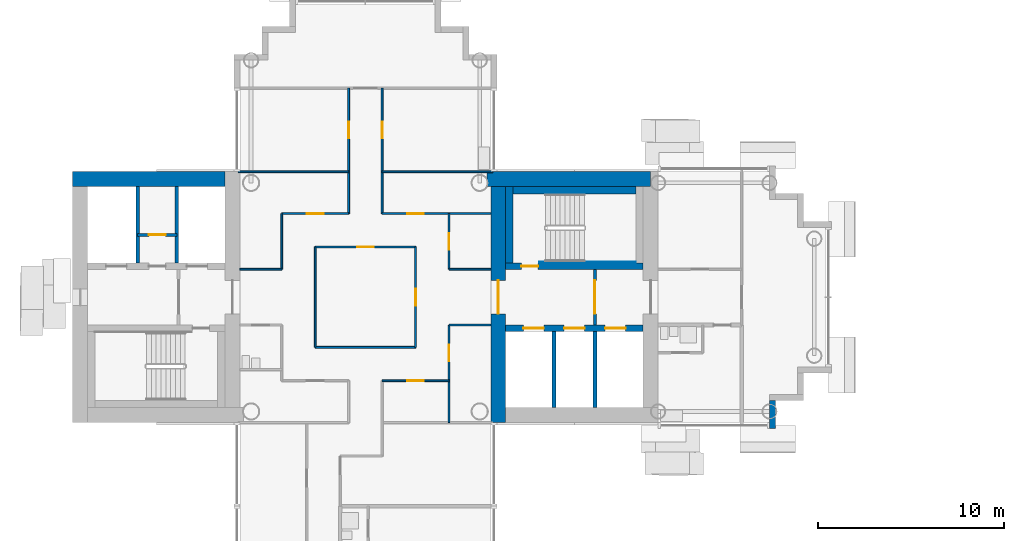
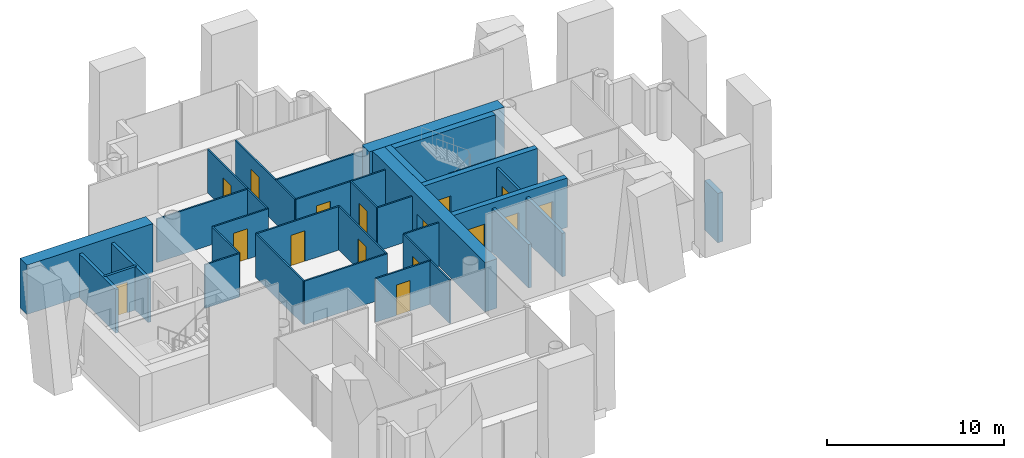
# One storey, part 7 of 18: 32 walls, 16 doors, 16 openings.
"""IFC4 building model written with IfcOpenShell, lengths in metres."""

from ifc_helpers import new_model, si_unit, direction, frame, frame_2d, origin, place, context, subcontext, project, spatial, rectangle, extrude, material, layer, layer_set, type_object, element, fill, save


model = new_model("IFC4")

# Units and contexts
model_context = context("Model", 3, precision=1e-05, world=origin(), true_north=direction((0.0, 1.0)))
body_context = subcontext(model_context, "Body", "Model", "MODEL_VIEW")
ifc_project = project(units=[si_unit("LENGTHUNIT", "METRE"), si_unit("AREAUNIT", "SQUARE_METRE"), si_unit("VOLUMEUNIT", "CUBIC_METRE"), si_unit("PLANEANGLEUNIT", "RADIAN"), si_unit("MASSUNIT", "GRAM", prefix="KILO")], contexts=[model_context])

# Site, building, storey
site_placement = place(None, origin())
site = spatial("IfcSite", under=ifc_project, at=site_placement, CompositionType="ELEMENT")
building_placement = place(site_placement, origin())
building = spatial("IfcBuilding", under=site, at=building_placement, Name="Ipe Terrace Towers", CompositionType="ELEMENT")
storey_placement = place(building_placement, frame((0.0, 0.0, 150.699951171875)))
storey = spatial("IfcBuildingStorey", under=building, at=storey_placement, Name="L41", CompositionType="ELEMENT", Elevation=150.699951171875)

# Walls
ifc_material_1 = material(Name="Concrete C40/50 with buff precast cladding", Category="concrete")
ifc_layer_1 = layer(ifc_material_1, 0.320068359375)
ifc_layer_set_1 = layer_set([ifc_layer_1], Name="BUFF CLADDING WALL 320")
wall_type_1 = type_object("IfcWallType", Name="BUFF CLADDING WALL 320", PredefinedType="STANDARD", material=ifc_layer_set_1)
wall_1_placement = place(storey_placement, frame((-14.090087890625, -7.070068359375, -0.300048828125), z_axis=(0.0, 0.0, 1.0), x_axis=(0.0, 1.0, 0.0)))
element("IfcWall", 1, at=wall_1_placement, inside=storey, type_object=wall_type_1, Name="T1-W-L41-17a wall", PredefinedType="STANDARD", context=body_context, shape_type="SweptSolid", body=[
    extrude(rectangle(XDim=1.5, YDim=0.320068359375, at=frame_2d((0.75, 0.0))), origin(), (0.0, 0.0, 1.0), 3.400146484375),
])
ifc_material_2 = material(Name="Gypsum board partition", Category="plasterboard")
ifc_layer_2 = layer(ifc_material_2, 0.10009765625)
ifc_layer_set_2 = layer_set([ifc_layer_2], Name="Gypsum board partition 100 mm")
wall_type_2 = type_object("IfcWallType", Name="Gypsum board partition 100 mm", PredefinedType="PARTITIONING", material=ifc_layer_set_2)
wall_2_placement = place(storey_placement, frame((-40.5, 1.5, 0.0), z_axis=(0.0, 0.0, 1.0), x_axis=(0.0, 1.0, 0.0)))
element("IfcWall", 2, at=wall_2_placement, inside=storey, type_object=wall_type_2, Name="Gypsum board partition T1 L41 W02", PredefinedType="PARTITIONING", context=body_context, shape_type="SweptSolid", body=[
    extrude(rectangle(XDim=3.0, YDim=0.10009765625, at=frame_2d((1.5, 0.0))), origin(), (0.0, 0.0, 1.0), 3.0),
])
wall_3_placement = place(storey_placement, frame((-38.699951171875, -2.699951171875, 0.0), z_axis=(0.0, 0.0, 1.0), x_axis=(0.0, 1.0, 0.0)))
element("IfcWall", 3, at=wall_3_placement, inside=storey, type_object=wall_type_2, Name="Gypsum board partition T1 L41 W04", PredefinedType="PARTITIONING", context=body_context, shape_type="SweptSolid", body=[
    extrude(rectangle(XDim=5.39990234375, YDim=0.10009765625, at=frame_2d((2.699951171875, 0.0))), origin(), (0.0, 0.0, 1.0), 3.0),
])

# Wall, opening, door
wall_4_placement = place(storey_placement, frame((-36.89990234375, 4.5, 0.0), z_axis=(0.0, 0.0, 1.0), x_axis=(0.0, 1.0, 0.0)))
wall_4 = element("IfcWall", 4, at=wall_4_placement, inside=storey, type_object=wall_type_2, Name="Gypsum board partition T1 L41 W08", PredefinedType="PARTITIONING", context=body_context, shape_type="SweptSolid", body=[
    extrude(rectangle(XDim=6.75, YDim=0.10009765625, at=frame_2d((3.375, 0.0))), origin(), (0.0, 0.0, 1.0), 3.0),
])
opening_1_placement = place(wall_4_placement, frame((4.050048828125, 0.0, 0.0)))
opening_1 = element("IfcOpeningElement", 5, at=opening_1_placement, cuts=wall_4, Name="Opening T1-Z3B-10", PredefinedType="OPENING", context=body_context, shape_type="SweptSolid", body=[
    extrude(rectangle(XDim=0.89990234375, YDim=2.10009765625, at=frame_2d((0.449951171875, 1.050048828125))), frame((0.0, 0.06005859375, 0.0), z_axis=(0.0, -1.0, 0.0), x_axis=(1.0, 0.0, 0.0)), (0.0, 0.0, 1.0), 0.1201171875),
])
ifc_material_3 = material(Name="Timber door leaf", Category="wood")
door_type_1 = type_object("IfcDoorType", Name="Lounge door 900 x 2100", OperationType="NOTDEFINED", PredefinedType="DOOR", material=ifc_material_3)
door_1_placement = place(opening_1_placement, origin())
door_1 = element("IfcDoor", 6, at=door_1_placement, inside=storey, type_object=door_type_1, Name="Lounge door T1-Z3B-10", OperationType="SINGLE_SWING_LEFT", OverallHeight=2.10009765625, OverallWidth=0.89990234375, PredefinedType="DOOR", context=body_context, shape_type="SweptSolid", body=[
    extrude(rectangle(XDim=0.89990234375, YDim=2.10009765625, at=frame_2d((0.449951171875, 1.050048828125))), frame((0.0, 0.02490234375, 0.0), z_axis=(0.0, -1.0, 0.0), x_axis=(1.0, 0.0, 0.0)), (0.0, 0.0, 1.0), 0.050048828125),
])
fill(opening_1, door_1)

wall_5_placement = place(storey_placement, frame((-35.10009765625, 4.5, 0.0), z_axis=(0.0, 0.0, 1.0), x_axis=(0.0, 1.0, 0.0)))
wall_5 = element("IfcWall", 7, at=wall_5_placement, inside=storey, type_object=wall_type_2, Name="Gypsum board partition T1 L41 W11", PredefinedType="PARTITIONING", context=body_context, shape_type="SweptSolid", body=[
    extrude(rectangle(XDim=6.75, YDim=0.10009765625, at=frame_2d((3.375, 0.0))), origin(), (0.0, 0.0, 1.0), 3.0),
])
opening_2_placement = place(wall_5_placement, frame((4.050048828125, 0.0, 0.0)))
opening_2 = element("IfcOpeningElement", 8, at=opening_2_placement, cuts=wall_5, Name="Opening T1-Z3B-11", PredefinedType="OPENING", context=body_context, shape_type="SweptSolid", body=[
    extrude(rectangle(XDim=0.89990234375, YDim=2.10009765625, at=frame_2d((0.449951171875, 1.050048828125))), frame((0.0, 0.06005859375, 0.0), z_axis=(0.0, -1.0, 0.0), x_axis=(1.0, 0.0, 0.0)), (0.0, 0.0, 1.0), 0.1201171875),
])
door_2_placement = place(opening_2_placement, origin())
door_2 = element("IfcDoor", 9, at=door_2_placement, inside=storey, type_object=door_type_1, Name="Lounge door T1-Z3B-11", OperationType="SINGLE_SWING_RIGHT", OverallHeight=2.10009765625, OverallWidth=0.89990234375, PredefinedType="DOOR", context=body_context, shape_type="SweptSolid", body=[
    extrude(rectangle(XDim=0.89990234375, YDim=2.10009765625, at=frame_2d((0.449951171875, 1.050048828125))), frame((0.0, 0.02490234375, 0.0), z_axis=(0.0, -1.0, 0.0), x_axis=(1.0, 0.0, 0.0)), (0.0, 0.0, 1.0), 0.050048828125),
])
fill(opening_2, door_2)

wall_6_placement = place(storey_placement, frame((-33.300048828125, -2.699951171875, 0.0), z_axis=(0.0, 0.0, 1.0), x_axis=(0.0, 1.0, 0.0)))
wall_6 = element("IfcWall", 10, at=wall_6_placement, inside=storey, type_object=wall_type_2, Name="Gypsum board partition T1 L41 W12", PredefinedType="PARTITIONING", context=body_context, shape_type="SweptSolid", body=[
    extrude(rectangle(XDim=5.39990234375, YDim=0.10009765625, at=frame_2d((2.699951171875, 0.0))), origin(), (0.0, 0.0, 1.0), 3.0),
])
opening_3_placement = place(wall_6_placement, frame((2.25, 0.0, 0.0)))
opening_3 = element("IfcOpeningElement", 11, at=opening_3_placement, cuts=wall_6, Name="Opening T1-Z3B-02", PredefinedType="OPENING", context=body_context, shape_type="SweptSolid", body=[
    extrude(rectangle(XDim=0.89990234375, YDim=2.10009765625, at=frame_2d((0.449951171875, 1.050048828125))), frame((0.0, 0.06005859375, 0.0), z_axis=(0.0, -1.0, 0.0), x_axis=(1.0, 0.0, 0.0)), (0.0, 0.0, 1.0), 0.1201171875),
])
door_3_placement = place(opening_3_placement, origin())
door_3 = element("IfcDoor", 12, at=door_3_placement, inside=storey, type_object=door_type_1, Name="Lounge door T1-Z3B-02", OperationType="SINGLE_SWING_LEFT", OverallHeight=2.10009765625, OverallWidth=0.89990234375, PredefinedType="DOOR", context=body_context, shape_type="SweptSolid", body=[
    extrude(rectangle(XDim=0.89990234375, YDim=2.10009765625, at=frame_2d((0.449951171875, 1.050048828125))), frame((0.0, 0.02490234375, 0.0), z_axis=(0.0, -1.0, 0.0), x_axis=(1.0, 0.0, 0.0)), (0.0, 0.0, 1.0), 0.050048828125),
])
fill(opening_3, door_3)

wall_7_placement = place(storey_placement, frame((-31.5, -6.75, 0.0), z_axis=(0.0, 0.0, 1.0), x_axis=(0.0, 1.0, 0.0)))
wall_7 = element("IfcWall", 13, at=wall_7_placement, inside=storey, type_object=wall_type_2, Name="Gypsum board partition T1 L41 W13", PredefinedType="PARTITIONING", context=body_context, shape_type="SweptSolid", body=[
    extrude(rectangle(XDim=5.25, YDim=0.10009765625, at=frame_2d((2.625, 0.0))), origin(), (0.0, 0.0, 1.0), 3.0),
])
opening_4_placement = place(wall_7_placement, frame((3.300048828125, 0.0, 0.0)))
opening_4 = element("IfcOpeningElement", 14, at=opening_4_placement, cuts=wall_7, Name="Opening T1-Z3B-09", PredefinedType="OPENING", context=body_context, shape_type="SweptSolid", body=[
    extrude(rectangle(XDim=0.89990234375, YDim=2.10009765625, at=frame_2d((0.449951171875, 1.050048828125))), frame((0.0, 0.06005859375, 0.0), z_axis=(0.0, -1.0, 0.0), x_axis=(1.0, 0.0, 0.0)), (0.0, 0.0, 1.0), 0.1201171875),
])
door_4_placement = place(opening_4_placement, origin())
door_4 = element("IfcDoor", 15, at=door_4_placement, inside=storey, type_object=door_type_1, Name="Lounge door T1-Z3B-09", OperationType="SINGLE_SWING_RIGHT", OverallHeight=2.10009765625, OverallWidth=0.89990234375, PredefinedType="DOOR", context=body_context, shape_type="SweptSolid", body=[
    extrude(rectangle(XDim=0.89990234375, YDim=2.10009765625, at=frame_2d((0.449951171875, 1.050048828125))), frame((0.0, 0.02490234375, 0.0), z_axis=(0.0, -1.0, 0.0), x_axis=(1.0, 0.0, 0.0)), (0.0, 0.0, 1.0), 0.050048828125),
])
fill(opening_4, door_4)

wall_8_placement = place(storey_placement, frame((-31.5, 1.5, 0.0), z_axis=(0.0, 0.0, 1.0), x_axis=(0.0, 1.0, 0.0)))
wall_8 = element("IfcWall", 16, at=wall_8_placement, inside=storey, type_object=wall_type_2, Name="Gypsum board partition T1 L41 W14", PredefinedType="PARTITIONING", context=body_context, shape_type="SweptSolid", body=[
    extrude(rectangle(XDim=3.0, YDim=0.10009765625, at=frame_2d((1.5, 0.0))), origin(), (0.0, 0.0, 1.0), 3.0),
])
opening_5_placement = place(wall_8_placement, frame((1.050048828125, 0.0, 0.0)))
opening_5 = element("IfcOpeningElement", 17, at=opening_5_placement, cuts=wall_8, Name="Opening T1-Z3B-05", PredefinedType="OPENING", context=body_context, shape_type="SweptSolid", body=[
    extrude(rectangle(XDim=0.89990234375, YDim=2.10009765625, at=frame_2d((0.449951171875, 1.050048828125))), frame((0.0, 0.06005859375, 0.0), z_axis=(0.0, -1.0, 0.0), x_axis=(1.0, 0.0, 0.0)), (0.0, 0.0, 1.0), 0.1201171875),
])
door_5_placement = place(opening_5_placement, origin())
door_5 = element("IfcDoor", 18, at=door_5_placement, inside=storey, type_object=door_type_1, Name="Lounge door T1-Z3B-05", OperationType="SINGLE_SWING_RIGHT", OverallHeight=2.10009765625, OverallWidth=0.89990234375, PredefinedType="DOOR", context=body_context, shape_type="SweptSolid", body=[
    extrude(rectangle(XDim=0.89990234375, YDim=2.10009765625, at=frame_2d((0.449951171875, 1.050048828125))), frame((0.0, 0.02490234375, 0.0), z_axis=(0.0, -1.0, 0.0), x_axis=(1.0, 0.0, 0.0)), (0.0, 0.0, 1.0), 0.050048828125),
])
fill(opening_5, door_5)

wall_9_placement = place(storey_placement, frame((-35.10009765625, -4.5, 0.0), z_axis=(0.0, 0.0, 1.0), x_axis=(1.0, 0.0, 0.0)))
wall_9 = element("IfcWall", 19, at=wall_9_placement, inside=storey, type_object=wall_type_2, Name="Gypsum board partition T1 L41 W26", PredefinedType="PARTITIONING", context=body_context, shape_type="SweptSolid", body=[
    extrude(rectangle(XDim=3.60009765625, YDim=0.10009765625, at=frame_2d((1.800048828125, 0.0))), origin(), (0.0, 0.0, 1.0), 3.0),
])
opening_6_placement = place(wall_9_placement, frame((1.35009765625, 0.0, 0.0)))
opening_6 = element("IfcOpeningElement", 20, at=opening_6_placement, cuts=wall_9, Name="Opening T1-Z3B-08", PredefinedType="OPENING", context=body_context, shape_type="SweptSolid", body=[
    extrude(rectangle(XDim=0.89990234375, YDim=2.10009765625, at=frame_2d((0.449951171875, 1.050048828125))), frame((0.0, 0.06005859375, 0.0), z_axis=(0.0, -1.0, 0.0), x_axis=(1.0, 0.0, 0.0)), (0.0, 0.0, 1.0), 0.1201171875),
])
door_6_placement = place(opening_6_placement, origin())
door_6 = element("IfcDoor", 21, at=door_6_placement, inside=storey, type_object=door_type_1, Name="Lounge door T1-Z3B-08", OperationType="SINGLE_SWING_RIGHT", OverallHeight=2.10009765625, OverallWidth=0.89990234375, PredefinedType="DOOR", context=body_context, shape_type="SweptSolid", body=[
    extrude(rectangle(XDim=0.89990234375, YDim=2.10009765625, at=frame_2d((0.449951171875, 1.050048828125))), frame((0.0, 0.02490234375, 0.0), z_axis=(0.0, -1.0, 0.0), x_axis=(1.0, 0.0, 0.0)), (0.0, 0.0, 1.0), 0.050048828125),
])
fill(opening_6, door_6)

# Walls
wall_10_placement = place(storey_placement, frame((-38.699951171875, -2.699951171875, 0.0), z_axis=(0.0, 0.0, 1.0), x_axis=(1.0, 0.0, 0.0)))
element("IfcWall", 22, at=wall_10_placement, inside=storey, type_object=wall_type_2, Name="Gypsum board partition T1 L41 W29", PredefinedType="PARTITIONING", context=body_context, shape_type="SweptSolid", body=[
    extrude(rectangle(XDim=5.39990234375, YDim=0.10009765625, at=frame_2d((2.699951171875, 0.0))), origin(), (0.0, 0.0, 1.0), 3.0),
])
for number, where, z_axis, x_axis, name in (
    (23, (-31.5, -1.5, 0.0), (0.0, 0.0, 1.0), (1.0, 0.0, 0.0), "Gypsum board partition T1 L41 W31"),
    (24, (-42.75, 1.5, 0.0), (0.0, 0.0, 1.0), (1.0, 0.0, 0.0), "Gypsum board partition T1 L41 W33"),
    (25, (-31.5, 1.5, 0.0), (0.0, 0.0, 1.0), (1.0, 0.0, 0.0), "Gypsum board partition T1 L41 W34"),
):
    element("IfcWall", number, at=place(storey_placement, frame(where, z_axis=z_axis, x_axis=x_axis)), inside=storey, type_object=wall_type_2, Name=name, PredefinedType="PARTITIONING", context=body_context, shape_type="SweptSolid", body=[
        extrude(rectangle(XDim=2.25, YDim=0.10009765625, at=frame_2d((1.125, 0.0))), origin(), (0.0, 0.0, 1.0), 3.0),
    ])

# Wall, opening, door
wall_11_placement = place(storey_placement, frame((-38.699951171875, 2.699951171875, 0.0), z_axis=(0.0, 0.0, 1.0), x_axis=(1.0, 0.0, 0.0)))
wall_11 = element("IfcWall", 26, at=wall_11_placement, inside=storey, type_object=wall_type_2, Name="Gypsum board partition T1 L41 W36", PredefinedType="PARTITIONING", context=body_context, shape_type="SweptSolid", body=[
    extrude(rectangle(XDim=5.39990234375, YDim=0.10009765625, at=frame_2d((2.699951171875, 0.0))), origin(), (0.0, 0.0, 1.0), 3.0),
])
opening_7_placement = place(wall_11_placement, frame((2.25, 0.0, 0.0)))
opening_7 = element("IfcOpeningElement", 27, at=opening_7_placement, cuts=wall_11, Name="Opening T1-Z3B-01", PredefinedType="OPENING", context=body_context, shape_type="SweptSolid", body=[
    extrude(rectangle(XDim=0.89990234375, YDim=2.10009765625, at=frame_2d((0.449951171875, 1.050048828125))), frame((0.0, 0.06005859375, 0.0), z_axis=(0.0, -1.0, 0.0), x_axis=(1.0, 0.0, 0.0)), (0.0, 0.0, 1.0), 0.1201171875),
])
door_7_placement = place(opening_7_placement, origin())
door_7 = element("IfcDoor", 28, at=door_7_placement, inside=storey, type_object=door_type_1, Name="Lounge door T1-Z3B-01", OperationType="SINGLE_SWING_RIGHT", OverallHeight=2.10009765625, OverallWidth=0.89990234375, PredefinedType="DOOR", context=body_context, shape_type="SweptSolid", body=[
    extrude(rectangle(XDim=0.89990234375, YDim=2.10009765625, at=frame_2d((0.449951171875, 1.050048828125))), frame((0.0, 0.02490234375, 0.0), z_axis=(0.0, -1.0, 0.0), x_axis=(1.0, 0.0, 0.0)), (0.0, 0.0, 1.0), 0.050048828125),
])
fill(opening_7, door_7)

wall_12_placement = place(storey_placement, frame((-40.5, 4.5, 0.0), z_axis=(0.0, 0.0, 1.0), x_axis=(1.0, 0.0, 0.0)))
wall_12 = element("IfcWall", 29, at=wall_12_placement, inside=storey, type_object=wall_type_2, Name="Gypsum board partition T1 L41 W37", PredefinedType="PARTITIONING", context=body_context, shape_type="SweptSolid", body=[
    extrude(rectangle(XDim=3.60009765625, YDim=0.10009765625, at=frame_2d((1.800048828125, 0.0))), origin(), (0.0, 0.0, 1.0), 3.0),
])
opening_8_placement = place(wall_12_placement, frame((1.35009765625, 0.0, 0.0)))
opening_8 = element("IfcOpeningElement", 30, at=opening_8_placement, cuts=wall_12, Name="Opening T1-Z3B-06", PredefinedType="OPENING", context=body_context, shape_type="SweptSolid", body=[
    extrude(rectangle(XDim=0.89990234375, YDim=2.10009765625, at=frame_2d((0.449951171875, 1.050048828125))), frame((0.0, 0.06005859375, 0.0), z_axis=(0.0, -1.0, 0.0), x_axis=(1.0, 0.0, 0.0)), (0.0, 0.0, 1.0), 0.1201171875),
])
door_8_placement = place(opening_8_placement, origin())
door_8 = element("IfcDoor", 31, at=door_8_placement, inside=storey, type_object=door_type_1, Name="Lounge door T1-Z3B-06", OperationType="SINGLE_SWING_LEFT", OverallHeight=2.10009765625, OverallWidth=0.89990234375, PredefinedType="DOOR", context=body_context, shape_type="SweptSolid", body=[
    extrude(rectangle(XDim=0.89990234375, YDim=2.10009765625, at=frame_2d((0.449951171875, 1.050048828125))), frame((0.0, 0.02490234375, 0.0), z_axis=(0.0, -1.0, 0.0), x_axis=(1.0, 0.0, 0.0)), (0.0, 0.0, 1.0), 0.050048828125),
])
fill(opening_8, door_8)

wall_13_placement = place(storey_placement, frame((-35.10009765625, 4.5, 0.0), z_axis=(0.0, 0.0, 1.0), x_axis=(1.0, 0.0, 0.0)))
wall_13 = element("IfcWall", 32, at=wall_13_placement, inside=storey, type_object=wall_type_2, Name="Gypsum board partition T1 L41 W38", PredefinedType="PARTITIONING", context=body_context, shape_type="SweptSolid", body=[
    extrude(rectangle(XDim=5.85009765625, YDim=0.10009765625, at=frame_2d((2.925048828125, 0.0))), origin(), (0.0, 0.0, 1.0), 3.0),
])
opening_9_placement = place(wall_13_placement, frame((1.35009765625, 0.0, 0.0)))
opening_9 = element("IfcOpeningElement", 33, at=opening_9_placement, cuts=wall_13, Name="Opening T1-Z3B-04", PredefinedType="OPENING", context=body_context, shape_type="SweptSolid", body=[
    extrude(rectangle(XDim=0.89990234375, YDim=2.10009765625, at=frame_2d((0.449951171875, 1.050048828125))), frame((0.0, 0.06005859375, 0.0), z_axis=(0.0, -1.0, 0.0), x_axis=(1.0, 0.0, 0.0)), (0.0, 0.0, 1.0), 0.1201171875),
])
door_9_placement = place(opening_9_placement, origin())
door_9 = element("IfcDoor", 34, at=door_9_placement, inside=storey, type_object=door_type_1, Name="Lounge door T1-Z3B-04", OperationType="SINGLE_SWING_RIGHT", OverallHeight=2.10009765625, OverallWidth=0.89990234375, PredefinedType="DOOR", context=body_context, shape_type="SweptSolid", body=[
    extrude(rectangle(XDim=0.89990234375, YDim=2.10009765625, at=frame_2d((0.449951171875, 1.050048828125))), frame((0.0, 0.02490234375, 0.0), z_axis=(0.0, -1.0, 0.0), x_axis=(1.0, 0.0, 0.0)), (0.0, 0.0, 1.0), 0.050048828125),
])
fill(opening_9, door_9)

# Walls
for number, where, z_axis, x_axis, name in (
    (35, (-42.85009765625, 6.75, 0.0), (0.0, 0.0, 1.0), (1.0, 0.0, 0.0), "Gypsum board partition T1 L41 W39"),
    (36, (-35.10009765625, 6.75, 0.0), (0.0, 0.0, 1.0), (1.0, 0.0, 0.0), "Gypsum board partition T1 L41 W40"),
):
    element("IfcWall", number, at=place(storey_placement, frame(where, z_axis=z_axis, x_axis=x_axis)), inside=storey, type_object=wall_type_2, Name=name, PredefinedType="PARTITIONING", context=body_context, shape_type="SweptSolid", body=[
        extrude(rectangle(XDim=5.9501953125, YDim=0.10009765625, at=frame_2d((2.97509765625, 0.0))), origin(), (0.0, 0.0, 1.0), 3.0),
    ])

# Wall, opening, door
ifc_material_4 = material(Name="Gypsum board partition", Category="plasterboard")
ifc_layer_3 = layer(ifc_material_4, 0.14990234375)
ifc_layer_set_3 = layer_set([ifc_layer_3], Name="Gypsum board partition 150 mm")
wall_type_3 = type_object("IfcWallType", Name="Gypsum board partition 150 mm", PredefinedType="PARTITIONING", material=ifc_layer_set_3)
wall_14_placement = place(storey_placement, frame((-23.64990234375, -1.5, 0.0), z_axis=(0.0, 0.0, 1.0), x_axis=(0.0, 1.0, 0.0)))
wall_14 = element("IfcWall", 37, at=wall_14_placement, inside=storey, type_object=wall_type_3, Name="Gypsum board partition T1 L41 t1c1-lobby-wall", PredefinedType="PARTITIONING", context=body_context, shape_type="SweptSolid", body=[
    extrude(rectangle(XDim=3.0, YDim=0.14990234375, at=frame_2d((1.5, 0.0))), origin(), (0.0, 0.0, 1.0), 3.0),
])
opening_10_placement = place(wall_14_placement, frame((0.60009765625, 0.0, 0.0)))
opening_10 = element("IfcOpeningElement", 38, at=opening_10_placement, cuts=wall_14, Name="Opening T1C1-VD", PredefinedType="OPENING", context=body_context, shape_type="SweptSolid", body=[
    extrude(rectangle(XDim=1.800048828125, YDim=2.10009765625, at=frame_2d((0.89990234375, 1.050048828125))), frame((0.0, 0.0849609375, 0.0), z_axis=(0.0, -1.0, 0.0), x_axis=(1.0, 0.0, 0.0)), (0.0, 0.0, 1.0), 0.169921875),
])
ifc_material_5 = material(Name="Fire-rated timber door leaf", Category="wood")
door_type_2 = type_object("IfcDoorType", Name="Lobby door 1800 x 2100 FD60", OperationType="NOTDEFINED", PredefinedType="DOOR", material=ifc_material_5)
door_10_placement = place(opening_10_placement, origin())
door_10 = element("IfcDoor", 39, at=door_10_placement, inside=storey, type_object=door_type_2, Name="Lobby door T1C1-VD", OperationType="SINGLE_SWING_LEFT", OverallHeight=2.10009765625, OverallWidth=1.800048828125, PredefinedType="DOOR", context=body_context, shape_type="SweptSolid", body=[
    extrude(rectangle(XDim=1.800048828125, YDim=2.10009765625, at=frame_2d((0.89990234375, 1.050048828125))), frame((0.0, 0.02490234375, 0.0), z_axis=(0.0, -1.0, 0.0), x_axis=(1.0, 0.0, 0.0)), (0.0, 0.0, 1.0), 0.050048828125),
])
fill(opening_10, door_10)

wall_15_placement = place(storey_placement, frame((-46.14990234375, 3.35009765625, 0.0), z_axis=(0.0, 0.0, 1.0), x_axis=(-1.0, 0.0, 0.0)))
wall_15 = element("IfcWall", 40, at=wall_15_placement, inside=storey, type_object=wall_type_3, Name="Gypsum board partition T1 L41 t1c2-q-back", PredefinedType="PARTITIONING", context=body_context, shape_type="SweptSolid", body=[
    extrude(rectangle(XDim=2.10009765625, YDim=0.14990234375, at=frame_2d((1.050048828125, 0.0))), origin(), (0.0, 0.0, 1.0), 3.0),
])
opening_11_placement = place(wall_15_placement, frame((0.60009765625, 0.0, 0.0)))
opening_11 = element("IfcOpeningElement", 41, at=opening_11_placement, cuts=wall_15, Name="Opening T1C2-RB-FD30S", PredefinedType="OPENING", context=body_context, shape_type="SweptSolid", body=[
    extrude(rectangle(XDim=0.89990234375, YDim=2.10009765625, at=frame_2d((0.449951171875, 1.050048828125))), frame((0.0, 0.0849609375, 0.0), z_axis=(0.0, -1.0, 0.0), x_axis=(1.0, 0.0, 0.0)), (0.0, 0.0, 1.0), 0.169921875),
])
ifc_material_6 = material(Name="Fire-rated timber door leaf", Category="wood")
door_type_3 = type_object("IfcDoorType", Name="Service door 900 x 2100 FD30S", OperationType="NOTDEFINED", PredefinedType="DOOR", material=ifc_material_6)
door_11_placement = place(opening_11_placement, origin())
door_11 = element("IfcDoor", 42, at=door_11_placement, inside=storey, type_object=door_type_3, Name="Service door T1C2-RB-FD30S", OperationType="SINGLE_SWING_LEFT", OverallHeight=2.10009765625, OverallWidth=0.89990234375, PredefinedType="DOOR", context=body_context, shape_type="SweptSolid", body=[
    extrude(rectangle(XDim=0.89990234375, YDim=2.10009765625, at=frame_2d((0.449951171875, 1.050048828125))), frame((0.0, 0.02490234375, 0.0), z_axis=(0.0, -1.0, 0.0), x_axis=(1.0, 0.0, 0.0)), (0.0, 0.0, 1.0), 0.050048828125),
])
fill(opening_11, door_11)

# Walls
ifc_material_7 = material(Name="Gypsum board party wall", Category="plasterboard")
ifc_layer_4 = layer(ifc_material_7, 0.199951171875)
ifc_layer_set_4 = layer_set([ifc_layer_4], Name="Gypsum board party wall 200 mm")
wall_type_4 = type_object("IfcWallType", Name="Gypsum board party wall 200 mm", PredefinedType="SOLIDWALL", material=ifc_layer_set_4)
for number, where, z_axis, x_axis, name in (
    (43, (-25.85009765625, -5.949951171875, 0.0), (0.0, 0.0, 1.0), (0.0, 1.0, 0.0), "Gypsum board party wall T1 L41 t1c1-shaft-div1"),
    (44, (-23.64990234375, -5.949951171875, 0.0), (0.0, 0.0, 1.0), (0.0, 1.0, 0.0), "Gypsum board party wall T1 L41 t1c1-shaft-div2"),
    (45, (-48.25, 5.949951171875, 0.0), (0.0, 0.0, 1.0), (0.0, -1.0, 0.0), "Gypsum board party wall T1 L41 t1c2-shaft-div2"),
    (46, (-46.14990234375, 5.949951171875, 0.0), (0.0, 0.0, 1.0), (0.0, -1.0, 0.0), "Gypsum board party wall T1 L41 t1c2-shaft-div1"),
):
    element("IfcWall", number, at=place(storey_placement, frame(where, z_axis=z_axis, x_axis=x_axis)), inside=storey, type_object=wall_type_4, Name=name, PredefinedType="SOLIDWALL", context=body_context, shape_type="SweptSolid", body=[
        extrude(rectangle(XDim=4.099853515625, YDim=0.199951171875, at=frame_2d((2.0498046875, 0.0))), origin(), (0.0, 0.0, 1.0), 3.0),
    ])

# Wall, openings, doors
ifc_material_8 = material(Name="Concrete C50/60", Category="concrete")
ifc_layer_5 = layer(ifc_material_8, 0.35009765625)
ifc_layer_set_5 = layer_set([ifc_layer_5], Name="RW350 CORE SPINE WALL 350 C50-60")
wall_type_5 = type_object("IfcWallType", Name="RW350 CORE SPINE WALL 350 C50-60", PredefinedType="SHEAR", material=ifc_layer_set_5)
wall_16_placement = place(storey_placement, frame((-28.449951171875, -1.675048828125, 0.0), z_axis=(0.0, 0.0, 1.0), x_axis=(1.0, 0.0, 0.0)))
wall_16 = element("IfcWall", 47, at=wall_16_placement, inside=storey, type_object=wall_type_5, Name="Core spine wall T1-C1-Z3-SW1", PredefinedType="SHEAR", context=body_context, shape_type="SweptSolid", body=[
    extrude(rectangle(XDim=7.39990234375, YDim=0.35009765625, at=frame_2d((3.699951171875, 0.0))), origin(), (0.0, 0.0, 1.0), 3.400146484375),
])
opening_12_placement = place(wall_16_placement, frame((0.949951171875, 0.0, 0.0)))
opening_12 = element("IfcOpeningElement", 48, at=opening_12_placement, cuts=wall_16, Name="Opening T1C1-LD1", PredefinedType="OPENING", context=body_context, shape_type="SweptSolid", body=[
    extrude(rectangle(XDim=1.10009765625, YDim=2.10009765625, at=frame_2d((0.550048828125, 1.050048828125))), frame((0.0, 0.18505859375, 0.0), z_axis=(0.0, -1.0, 0.0), x_axis=(1.0, 0.0, 0.0)), (0.0, 0.0, 1.0), 0.3701171875),
])
opening_13_placement = place(wall_16_placement, frame((3.14990234375, 0.0, 0.0)))
opening_13 = element("IfcOpeningElement", 49, at=opening_13_placement, cuts=wall_16, Name="Opening T1C1-LD2", PredefinedType="OPENING", context=body_context, shape_type="SweptSolid", body=[
    extrude(rectangle(XDim=1.10009765625, YDim=2.10009765625, at=frame_2d((0.550048828125, 1.050048828125))), frame((0.0, 0.18505859375, 0.0), z_axis=(0.0, -1.0, 0.0), x_axis=(1.0, 0.0, 0.0)), (0.0, 0.0, 1.0), 0.3701171875),
])
opening_14_placement = place(wall_16_placement, frame((5.35009765625, 0.0, 0.0)))
opening_14 = element("IfcOpeningElement", 50, at=opening_14_placement, cuts=wall_16, Name="Opening T1C1-LD3", PredefinedType="OPENING", context=body_context, shape_type="SweptSolid", body=[
    extrude(rectangle(XDim=1.10009765625, YDim=2.10009765625, at=frame_2d((0.550048828125, 1.050048828125))), frame((0.0, 0.18505859375, 0.0), z_axis=(0.0, -1.0, 0.0), x_axis=(1.0, 0.0, 0.0)), (0.0, 0.0, 1.0), 0.3701171875),
])
ifc_material_9 = material(Name="Fire-rated timber door leaf", Category="wood")
door_type_4 = type_object("IfcDoorType", Name="Sliding door 1100 x 2100 FD60", OperationType="SLIDING_TO_LEFT", PredefinedType="DOOR", material=ifc_material_9)
door_12_placement = place(opening_12_placement, origin())
door_12 = element("IfcDoor", 51, at=door_12_placement, inside=storey, type_object=door_type_4, Name="Sliding door T1C1-LD1", OperationType="SLIDING_TO_LEFT", OverallHeight=2.10009765625, OverallWidth=1.10009765625, PredefinedType="DOOR", context=body_context, shape_type="SweptSolid", body=[
    extrude(rectangle(XDim=1.10009765625, YDim=2.10009765625, at=frame_2d((0.550048828125, 1.050048828125))), frame((0.0, 0.02490234375, 0.0), z_axis=(0.0, -1.0, 0.0), x_axis=(1.0, 0.0, 0.0)), (0.0, 0.0, 1.0), 0.050048828125),
])
fill(opening_12, door_12)
door_13_placement = place(opening_13_placement, origin())
door_13 = element("IfcDoor", 52, at=door_13_placement, inside=storey, type_object=door_type_4, Name="Sliding door T1C1-LD2", OperationType="SLIDING_TO_LEFT", OverallHeight=2.10009765625, OverallWidth=1.10009765625, PredefinedType="DOOR", context=body_context, shape_type="SweptSolid", body=[
    extrude(rectangle(XDim=1.10009765625, YDim=2.10009765625, at=frame_2d((0.550048828125, 1.050048828125))), frame((0.0, 0.02490234375, 0.0), z_axis=(0.0, -1.0, 0.0), x_axis=(1.0, 0.0, 0.0)), (0.0, 0.0, 1.0), 0.050048828125),
])
fill(opening_13, door_13)
door_14_placement = place(opening_14_placement, origin())
door_14 = element("IfcDoor", 53, at=door_14_placement, inside=storey, type_object=door_type_4, Name="Sliding door T1C1-LD3", OperationType="SLIDING_TO_LEFT", OverallHeight=2.10009765625, OverallWidth=1.10009765625, PredefinedType="DOOR", context=body_context, shape_type="SweptSolid", body=[
    extrude(rectangle(XDim=1.10009765625, YDim=2.10009765625, at=frame_2d((0.550048828125, 1.050048828125))), frame((0.0, 0.02490234375, 0.0), z_axis=(0.0, -1.0, 0.0), x_axis=(1.0, 0.0, 0.0)), (0.0, 0.0, 1.0), 0.050048828125),
])
fill(opening_14, door_14)

# Wall, opening, door
wall_17_placement = place(storey_placement, frame((-28.449951171875, 1.675048828125, 0.0), z_axis=(0.0, 0.0, 1.0), x_axis=(1.0, 0.0, 0.0)))
wall_17 = element("IfcWall", 54, at=wall_17_placement, inside=storey, type_object=wall_type_5, Name="Core spine wall T1-C1-Z3-SW2", PredefinedType="SHEAR", context=body_context, shape_type="SweptSolid", body=[
    extrude(rectangle(XDim=7.39990234375, YDim=0.35009765625, at=frame_2d((3.699951171875, 0.0))), origin(), (0.0, 0.0, 1.0), 3.400146484375),
])
opening_15_placement = place(wall_17_placement, frame((0.85009765625, 0.0, 0.0)))
opening_15 = element("IfcOpeningElement", 55, at=opening_15_placement, cuts=wall_17, Name="Opening T1C1-SD", PredefinedType="OPENING", context=body_context, shape_type="SweptSolid", body=[
    extrude(rectangle(XDim=0.89990234375, YDim=2.10009765625, at=frame_2d((0.449951171875, 1.050048828125))), frame((0.0, 0.18505859375, 0.0), z_axis=(0.0, -1.0, 0.0), x_axis=(1.0, 0.0, 0.0)), (0.0, 0.0, 1.0), 0.3701171875),
])
ifc_material_10 = material(Name="Fire-rated timber door leaf", Category="wood")
door_type_5 = type_object("IfcDoorType", Name="Stair door 900 x 2100 FD60", OperationType="NOTDEFINED", PredefinedType="DOOR", material=ifc_material_10)
door_15_placement = place(opening_15_placement, origin())
door_15 = element("IfcDoor", 56, at=door_15_placement, inside=storey, type_object=door_type_5, Name="Stair door T1C1-SD", OperationType="SINGLE_SWING_LEFT", OverallHeight=2.10009765625, OverallWidth=0.89990234375, PredefinedType="DOOR", context=body_context, shape_type="SweptSolid", body=[
    extrude(rectangle(XDim=0.89990234375, YDim=2.10009765625, at=frame_2d((0.449951171875, 1.050048828125))), frame((0.0, 0.02490234375, 0.0), z_axis=(0.0, -1.0, 0.0), x_axis=(1.0, 0.0, 0.0)), (0.0, 0.0, 1.0), 0.050048828125),
])
fill(opening_15, door_15)

# Walls
ifc_material_11 = material(Name="Concrete C50/60", Category="concrete")
ifc_layer_6 = layer(ifc_material_11, 0.39990234375)
ifc_layer_set_6 = layer_set([ifc_layer_6], Name="RW400 CORE INFILL WALL 400 C50-60")
wall_type_6 = type_object("IfcWallType", Name="RW400 CORE INFILL WALL 400 C50-60", PredefinedType="SHEAR", material=ifc_layer_set_6)
wall_18_placement = place(storey_placement, frame((-28.050048828125, 5.75, 0.0), z_axis=(0.0, 0.0, 1.0), x_axis=(1.0, 0.0, 0.0)))
element("IfcWall", 57, at=wall_18_placement, inside=storey, type_object=wall_type_6, Name="Core infill wall T1-C1-back", PredefinedType="SHEAR", context=body_context, shape_type="SweptSolid", body=[
    extrude(rectangle(XDim=6.60009765625, YDim=0.39990234375, at=frame_2d((3.300048828125, 0.0))), origin(), (0.0, 0.0, 1.0), 3.400146484375),
])
wall_19_placement = place(storey_placement, frame((-28.25, 1.85009765625, 0.0), z_axis=(0.0, 0.0, 1.0), x_axis=(0.0, 1.0, 0.0)))
element("IfcWall", 58, at=wall_19_placement, inside=storey, type_object=wall_type_6, Name="Core infill wall T1-C1-near", PredefinedType="SHEAR", context=body_context, shape_type="SweptSolid", body=[
    extrude(rectangle(XDim=4.099853515625, YDim=0.39990234375, at=frame_2d((2.0498046875, 0.0))), origin(), (0.0, 0.0, 1.0), 3.400146484375),
])
ifc_material_12 = material(Name="Concrete C50/60", Category="concrete")
ifc_layer_7 = layer(ifc_material_12, 0.050048828125)
ifc_layer_set_7 = layer_set([ifc_layer_7], Name="RW50 CORE INFILL WALL 50 C50-60")
wall_type_7 = type_object("IfcWallType", Name="RW50 CORE INFILL WALL 50 C50-60", PredefinedType="SHEAR", material=ifc_layer_set_7)
wall_20_placement = place(storey_placement, frame((-26.64990234375, 1.875, 0.0), z_axis=(0.0, 0.0, 1.0), x_axis=(1.0, 0.0, 0.0)))
element("IfcWall", 59, at=wall_20_placement, inside=storey, type_object=wall_type_7, Name="Core infill wall T1-C1-spine-b", PredefinedType="SHEAR", context=body_context, shape_type="SweptSolid", body=[
    extrude(rectangle(XDim=5.199951171875, YDim=0.050048828125, at=frame_2d((2.60009765625, 0.0))), origin(), (0.0, 0.0, 1.0), 3.400146484375),
])
ifc_material_13 = material(Name="Concrete C50/60", Category="concrete")
ifc_layer_8 = layer(ifc_material_13, 0.800048828125)
ifc_layer_set_8 = layer_set([ifc_layer_8], Name="RW800 CORE WALL 800 C50-60")
wall_type_8 = type_object("IfcWallType", Name="RW800 CORE WALL 800 C50-60", PredefinedType="SHEAR", material=ifc_layer_set_8)
wall_21_placement = place(storey_placement, frame((-20.652099609375, 6.35009765625, 0.0), z_axis=(0.0, 0.0, 1.0), x_axis=(-1.0, 0.0, 0.0)))
element("IfcWall", 60, at=wall_21_placement, inside=storey, type_object=wall_type_8, Name="Core wall T1-C1-Z3-W03", PredefinedType="SHEAR", context=body_context, shape_type="SweptSolid", body=[
    extrude(rectangle(XDim=8.7958984375, YDim=0.800048828125, at=frame_2d((4.39794921875, 0.0))), origin(), (0.0, 0.0, 1.0), 3.400146484375),
])

# Wall, opening, door
wall_22_placement = place(storey_placement, frame((-28.85009765625, 5.949951171875, 0.0), z_axis=(0.0, 0.0, 1.0), x_axis=(0.0, -1.0, 0.0)))
wall_22 = element("IfcWall", 61, at=wall_22_placement, inside=storey, type_object=wall_type_8, Name="Core wall T1-C1-Z3-W04", PredefinedType="SHEAR", context=body_context, shape_type="SweptSolid", body=[
    extrude(rectangle(XDim=12.699951171875, YDim=0.800048828125, at=frame_2d((6.35009765625, 0.0))), origin(), (0.0, 0.0, 1.0), 3.400146484375),
])
opening_16_placement = place(wall_22_placement, frame((5.050048828125, 0.0, 0.0)))
opening_16 = element("IfcOpeningElement", 62, at=opening_16_placement, cuts=wall_22, Name="Opening T1C1-ND", PredefinedType="OPENING", context=body_context, shape_type="SweptSolid", body=[
    extrude(rectangle(XDim=1.800048828125, YDim=2.10009765625, at=frame_2d((0.89990234375, 1.050048828125))), frame((0.0, 0.41015625, 0.0), z_axis=(0.0, -1.0, 0.0), x_axis=(1.0, 0.0, 0.0)), (0.0, 0.0, 1.0), 0.820068359375),
])
ifc_material_14 = material(Name="Fire-rated timber door leaf", Category="wood")
door_type_6 = type_object("IfcDoorType", Name="Fire door 1800 x 2100 FD30S", OperationType="NOTDEFINED", PredefinedType="DOOR", material=ifc_material_14)
door_16_placement = place(opening_16_placement, origin())
door_16 = element("IfcDoor", 63, at=door_16_placement, inside=storey, type_object=door_type_6, Name="Fire door T1C1-ND", OperationType="SINGLE_SWING_LEFT", OverallHeight=2.10009765625, OverallWidth=1.800048828125, PredefinedType="DOOR", context=body_context, shape_type="SweptSolid", body=[
    extrude(rectangle(XDim=1.800048828125, YDim=2.10009765625, at=frame_2d((0.89990234375, 1.050048828125))), frame((0.0, 0.02490234375, 0.0), z_axis=(0.0, -1.0, 0.0), x_axis=(1.0, 0.0, 0.0)), (0.0, 0.0, 1.0), 0.050048828125),
])
fill(opening_16, door_16)

# Wall
wall_23_placement = place(storey_placement, frame((-43.550048828125, 6.35009765625, 0.0), z_axis=(0.0, 0.0, 1.0), x_axis=(-1.0, 0.0, 0.0)))
element("IfcWall", 64, at=wall_23_placement, inside=storey, type_object=wall_type_8, Name="Core wall T1-C2-Z3-W03", PredefinedType="SHEAR", context=body_context, shape_type="SweptSolid", body=[
    extrude(rectangle(XDim=8.199951171875, YDim=0.800048828125, at=frame_2d((4.10009765625, 0.0))), origin(), (0.0, 0.0, 1.0), 3.400146484375),
])

save(model, "model.ifc")
